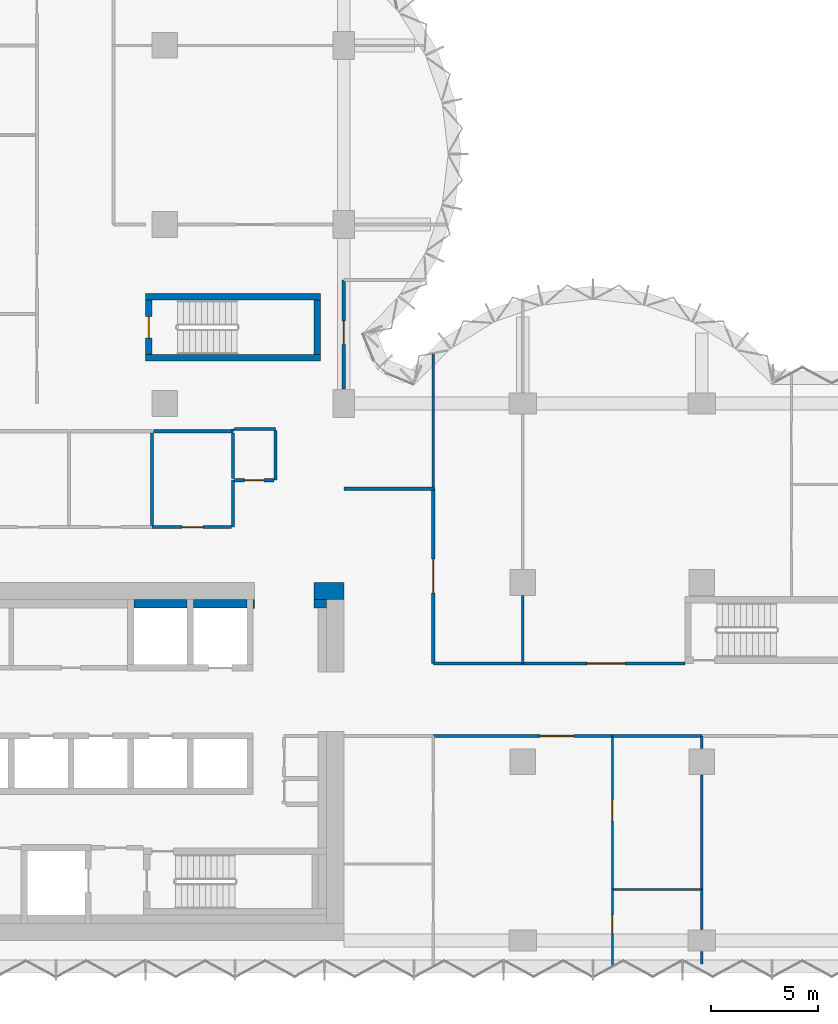
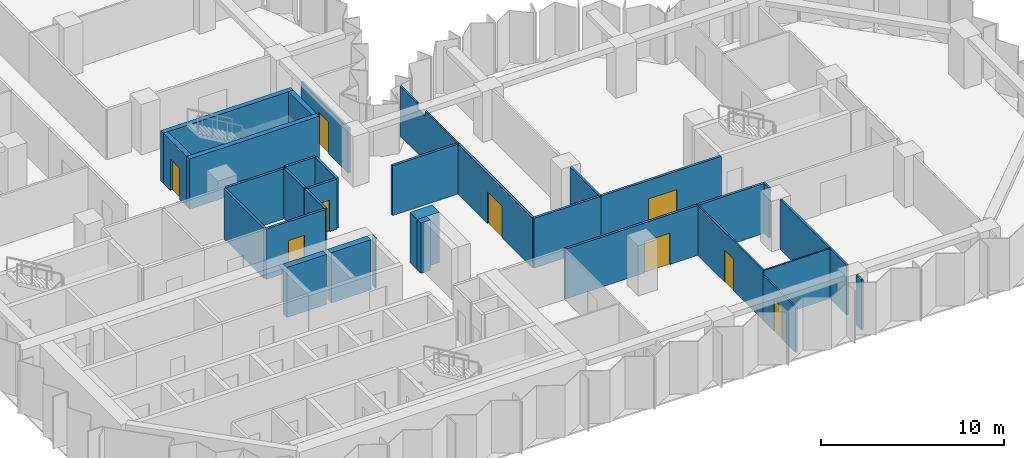
# One storey, part 7 of 11: 34 walls, 9 doors, 9 openings.
"""IFC4 building model written with IfcOpenShell, lengths in metres."""

from ifc_helpers import new_model, si_unit, direction, frame, frame_2d, origin, place, context, subcontext, project, spatial, polyline, rectangle, outline, extrude, material, layer, layer_set, type_object, element, fill, save


model = new_model("IFC4")

# Units and contexts
model_context = context("Model", 3, precision=1e-05, world=origin(), true_north=direction((0.0, 1.0)))
body_context = subcontext(model_context, "Body", "Model", "MODEL_VIEW")
ifc_project = project(units=[si_unit("LENGTHUNIT", "METRE"), si_unit("AREAUNIT", "SQUARE_METRE"), si_unit("VOLUMEUNIT", "CUBIC_METRE"), si_unit("PLANEANGLEUNIT", "RADIAN"), si_unit("MASSUNIT", "GRAM", prefix="KILO")], contexts=[model_context])

# Site, building, storey
site_placement = place(None, origin())
site = spatial("IfcSite", under=ifc_project, at=site_placement, CompositionType="ELEMENT")
building_placement = place(site_placement, origin())
building = spatial("IfcBuilding", under=site, at=building_placement, Name="Brevane Broadcast Tower", CompositionType="ELEMENT")
storey_placement = place(building_placement, frame((0.0, 0.0, 142.10009765625)))
storey = spatial("IfcBuildingStorey", under=building, at=storey_placement, Name="L35", CompositionType="ELEMENT", Elevation=142.10009765625)

# Walls
ifc_material_1 = material(Name="Concrete C32/40", Category="concrete")
ifc_layer_1 = layer(ifc_material_1, 0.39990234375)
ifc_layer_set_1 = layer_set([ifc_layer_1], Name="Core chase wall 400 mm")
wall_type_1 = type_object("IfcWallType", Name="Core chase wall 400 mm", PredefinedType="PARTITIONING", material=ifc_layer_set_1)
wall_1_placement = place(storey_placement, frame((23.800048828125, 15.800048828125, 0.0), z_axis=(0.0, 0.0, 1.0), x_axis=(1.0, 0.0, 0.0)))
element("IfcWall", 1, at=wall_1_placement, inside=storey, type_object=wall_type_1, Name="L35 chase wall LN2", PredefinedType="PARTITIONING", context=body_context, shape_type="SweptSolid", body=[
    extrude(rectangle(XDim=0.599853515625, YDim=0.39990234375, at=frame_2d((0.2998046875, 0.0))), origin(), (0.0, 0.0, 1.0), 3.349853515625),
])
for number, where, z_axis, x_axis, name in (
    (2, (15.35009765625, 15.800048828125, 0.0), (0.0, 0.0, 1.0), (1.0, 0.0, 0.0), "L35 chase wall LN1-2-2-1"),
    (3, (18.14990234375, 15.800048828125, 0.0), (0.0, 0.0, 1.0), (1.0, 0.0, 0.0), "L35 chase wall LN1-2-2-2-1"),
):
    element("IfcWall", number, at=place(storey_placement, frame(where, z_axis=z_axis, x_axis=x_axis)), inside=storey, type_object=wall_type_1, Name=name, PredefinedType="PARTITIONING", context=body_context, shape_type="SweptSolid", body=[
        extrude(rectangle(XDim=2.5, YDim=0.39990234375, at=frame_2d((1.25, 0.0))), origin(), (0.0, 0.0, 1.0), 3.349853515625),
    ])
wall_2_placement = place(storey_placement, frame((20.949951171875, 15.800048828125, 0.0), z_axis=(0.0, 0.0, 1.0), x_axis=(1.0, 0.0, 0.0)))
element("IfcWall", 4, at=wall_2_placement, inside=storey, type_object=wall_type_1, Name="L35 chase wall LN1-2-2-2-2", PredefinedType="PARTITIONING", context=body_context, shape_type="SweptSolid", body=[
    extrude(rectangle(XDim=0.050048828125, YDim=0.39990234375, at=frame_2d((0.02490234375, 0.0))), origin(), (0.0, 0.0, 1.0), 3.349853515625),
])
ifc_material_2 = material(Name="Gypsum board on steel studs", Category="steel")
ifc_layer_2 = layer(ifc_material_2, 0.14990234375)
ifc_layer_set_2 = layer_set([ifc_layer_2], Name="Core fire partition 150 mm")
wall_type_2 = type_object("IfcWallType", Name="Core fire partition 150 mm", PredefinedType="PARTITIONING", material=ifc_layer_set_2)
wall_3_placement = place(storey_placement, frame((20.0, 21.60009765625, 0.0), z_axis=(0.0, 0.0, 1.0), x_axis=(0.0, -1.0, 0.0)))
element("IfcWall", 5, at=wall_3_placement, inside=storey, type_object=wall_type_2, Name="L35 partition wall P22", PredefinedType="PARTITIONING", context=body_context, shape_type="SweptSolid", body=[
    extrude(rectangle(XDim=2.2001953125, YDim=0.14990234375, at=frame_2d((1.10009765625, 0.0))), origin(), (0.0, 0.0, 1.0), 3.349853515625),
])

# Wall, opening, door
wall_4_placement = place(storey_placement, frame((19.925048828125, 19.39990234375, 0.0), z_axis=(0.0, 0.0, 1.0), x_axis=(-1.0, 0.0, 0.0)))
wall_4 = element("IfcWall", 6, at=wall_4_placement, inside=storey, type_object=wall_type_2, Name="L35 partition wall P23", PredefinedType="PARTITIONING", context=body_context, shape_type="SweptSolid", body=[
    extrude(rectangle(XDim=3.72509765625, YDim=0.14990234375, at=frame_2d((1.862548828125, 0.0))), origin(), (0.0, 0.0, 1.0), 3.349853515625),
])
opening_1_placement = place(wall_4_placement, frame((1.324951171875, 0.0, 0.0)))
opening_1 = element("IfcOpeningElement", 7, at=opening_1_placement, cuts=wall_4, Name="Opening L35-K27", PredefinedType="OPENING", context=body_context, shape_type="SweptSolid", body=[
    extrude(rectangle(XDim=1.0, YDim=2.10009765625, at=frame_2d((0.5, 1.050048828125))), frame((0.0, 0.0849609375, 0.0), z_axis=(0.0, -1.0, 0.0), x_axis=(1.0, 0.0, 0.0)), (0.0, 0.0, 1.0), 0.169921875),
])
ifc_material_3 = material(Name="Steel", Category="steel")
door_type_1 = type_object("IfcDoorType", Name="Service room door 1000 x 2100", OperationType="SINGLE_SWING_LEFT", PredefinedType="DOOR", material=ifc_material_3)
door_1_placement = place(opening_1_placement, origin())
door_1 = element("IfcDoor", 8, at=door_1_placement, inside=storey, type_object=door_type_1, Name="Door L35-K27", OperationType="SINGLE_SWING_LEFT", OverallHeight=2.10009765625, OverallWidth=1.0, PredefinedType="DOOR", context=body_context, shape_type="SweptSolid", body=[
    extrude(rectangle(XDim=1.0, YDim=2.10009765625, at=frame_2d((0.5, 1.050048828125))), frame((0.0, 0.02490234375, 0.0), z_axis=(0.0, -1.0, 0.0), x_axis=(1.0, 0.0, 0.0)), (0.0, 0.0, 1.0), 0.050048828125),
])
fill(opening_1, door_1)

# Walls
wall_5_placement = place(storey_placement, frame((16.199951171875, 23.824951171875, 0.0), z_axis=(0.0, 0.0, 1.0), x_axis=(0.0, -1.0, 0.0)))
element("IfcWall", 9, at=wall_5_placement, inside=storey, type_object=wall_type_2, Name="L35 partition wall P24", PredefinedType="PARTITIONING", context=body_context, shape_type="SweptSolid", body=[
    extrude(rectangle(XDim=4.349853515625, YDim=0.14990234375, at=frame_2d((2.1748046875, 0.0))), origin(), (0.0, 0.0, 1.0), 3.349853515625),
])
wall_6_placement = place(storey_placement, frame((16.27490234375, 23.89990234375, 0.0), z_axis=(0.0, 0.0, 1.0), x_axis=(1.0, 0.0, 0.0)))
element("IfcWall", 10, at=wall_6_placement, inside=storey, type_object=wall_type_2, Name="L35 partition wall P25", PredefinedType="PARTITIONING", context=body_context, shape_type="SweptSolid", body=[
    extrude(rectangle(XDim=3.72509765625, YDim=0.14990234375, at=frame_2d((1.862548828125, 0.0))), origin(), (0.0, 0.0, 1.0), 3.349853515625),
])
wall_7_placement = place(storey_placement, frame((20.0, 23.89990234375, 0.0), z_axis=(0.0, 0.0, 1.0), x_axis=(0.0, 1.0, 0.0)))
element("IfcWall", 11, at=wall_7_placement, inside=storey, type_object=wall_type_2, Name="L35 partition wall P26", PredefinedType="PARTITIONING", context=body_context, shape_type="SweptSolid", body=[
    extrude(rectangle(XDim=0.10009765625, YDim=0.14990234375, at=frame_2d((0.050048828125, 0.0))), origin(), (0.0, 0.0, 1.0), 3.349853515625),
])
wall_8_placement = place(storey_placement, frame((20.074951171875, 24.0, 0.0), z_axis=(0.0, 0.0, 1.0), x_axis=(1.0, 0.0, 0.0)))
element("IfcWall", 12, at=wall_8_placement, inside=storey, type_object=wall_type_2, Name="L35 partition wall P27", PredefinedType="PARTITIONING", context=body_context, shape_type="SweptSolid", body=[
    extrude(rectangle(XDim=1.925048828125, YDim=0.14990234375, at=frame_2d((0.96240234375, 0.0))), origin(), (0.0, 0.0, 1.0), 3.349853515625),
])
wall_9_placement = place(storey_placement, frame((22.0, 23.925048828125, 0.0), z_axis=(0.0, 0.0, 1.0), x_axis=(0.0, -1.0, 0.0)))
element("IfcWall", 13, at=wall_9_placement, inside=storey, type_object=wall_type_2, Name="L35 partition wall P28", PredefinedType="PARTITIONING", context=body_context, shape_type="SweptSolid", body=[
    extrude(rectangle(XDim=2.324951171875, YDim=0.14990234375, at=frame_2d((1.16259765625, 0.0))), origin(), (0.0, 0.0, 1.0), 3.349853515625),
])

# Wall, opening, door
wall_10_placement = place(storey_placement, frame((21.925048828125, 21.60009765625, 0.0), z_axis=(0.0, 0.0, 1.0), x_axis=(-1.0, 0.0, 0.0)))
wall_10 = element("IfcWall", 14, at=wall_10_placement, inside=storey, type_object=wall_type_2, Name="L35 partition wall P29", PredefinedType="PARTITIONING", context=body_context, shape_type="SweptSolid", body=[
    extrude(rectangle(XDim=1.85009765625, YDim=0.14990234375, at=frame_2d((0.925048828125, 0.0))), origin(), (0.0, 0.0, 1.0), 3.349853515625),
])
opening_2_placement = place(wall_10_placement, frame((0.47509765625, 0.0, 0.0)))
opening_2 = element("IfcOpeningElement", 15, at=opening_2_placement, cuts=wall_10, Name="Opening L35-K24", PredefinedType="OPENING", context=body_context, shape_type="SweptSolid", body=[
    extrude(rectangle(XDim=0.89990234375, YDim=2.10009765625, at=frame_2d((0.449951171875, 1.050048828125))), frame((0.0, 0.0849609375, 0.0), z_axis=(0.0, -1.0, 0.0), x_axis=(1.0, 0.0, 0.0)), (0.0, 0.0, 1.0), 0.169921875),
])
ifc_material_4 = material(Name="Timber", Category="wood")
door_type_2 = type_object("IfcDoorType", Name="Toilet door 900 x 2100", OperationType="SINGLE_SWING_LEFT", PredefinedType="DOOR", material=ifc_material_4)
door_2_placement = place(opening_2_placement, origin())
door_2 = element("IfcDoor", 16, at=door_2_placement, inside=storey, type_object=door_type_2, Name="Door L35-K24", OperationType="SINGLE_SWING_RIGHT", OverallHeight=2.10009765625, OverallWidth=0.89990234375, PredefinedType="DOOR", context=body_context, shape_type="SweptSolid", body=[
    extrude(rectangle(XDim=0.89990234375, YDim=2.10009765625, at=frame_2d((0.449951171875, 1.050048828125))), frame((0.0, 0.02490234375, 0.0), z_axis=(0.0, -1.0, 0.0), x_axis=(1.0, 0.0, 0.0)), (0.0, 0.0, 1.0), 0.050048828125),
])
fill(opening_2, door_2)

# Walls
wall_11_placement = place(storey_placement, frame((20.0, 21.675048828125, 0.0), z_axis=(0.0, 0.0, 1.0), x_axis=(0.0, 1.0, 0.0)))
element("IfcWall", 17, at=wall_11_placement, inside=storey, type_object=wall_type_2, Name="L35 partition wall P30", PredefinedType="PARTITIONING", context=body_context, shape_type="SweptSolid", body=[
    extrude(rectangle(XDim=2.14990234375, YDim=0.14990234375, at=frame_2d((1.074951171875, 0.0))), origin(), (0.0, 0.0, 1.0), 3.349853515625),
])
ifc_material_5 = material(Name="Concrete C60/75", Category="concrete")
ifc_layer_3 = layer(ifc_material_5, 0.300048828125)
ifc_layer_set_3 = layer_set([ifc_layer_3], Name="Core wall 300 mm C60/75")
wall_type_3 = type_object("IfcWallType", Name="Core wall 300 mm C60/75", PredefinedType="SHEAR", material=ifc_layer_set_3)
for number, where, z_axis, x_axis, name in (
    (18, (15.89990234375, 27.35009765625, 0.0), (0.0, 0.0, 1.0), (1.0, 0.0, 0.0), "L35 stair wall ST-3-S"),
    (19, (15.89990234375, 30.199951171875, 0.0), (0.0, 0.0, 1.0), (1.0, 0.0, 0.0), "L35 stair wall ST-3-N"),
):
    element("IfcWall", number, at=place(storey_placement, frame(where, z_axis=z_axis, x_axis=x_axis)), inside=storey, type_object=wall_type_3, Name=name, PredefinedType="SHEAR", context=body_context, shape_type="SweptSolid", body=[
        extrude(rectangle(XDim=8.2001953125, YDim=0.300048828125, at=frame_2d((4.10009765625, 0.0))), origin(), (0.0, 0.0, 1.0), 3.349853515625),
    ])

# Wall, opening, door
wall_12_placement = place(storey_placement, frame((16.050048828125, 27.5, 0.0), z_axis=(0.0, 0.0, 1.0), x_axis=(0.0, 1.0, 0.0)))
wall_12 = element("IfcWall", 20, at=wall_12_placement, inside=storey, type_object=wall_type_3, Name="L35 stair wall ST-3-W", PredefinedType="SHEAR", context=body_context, shape_type="SweptSolid", body=[
    extrude(rectangle(XDim=2.550048828125, YDim=0.300048828125, at=frame_2d((1.27490234375, 0.0))), origin(), (0.0, 0.0, 1.0), 3.349853515625),
])
opening_3_placement = place(wall_12_placement, frame((0.77490234375, 0.0, 0.0)))
opening_3 = element("IfcOpeningElement", 21, at=opening_3_placement, cuts=wall_12, Name="Opening L35-K14", PredefinedType="OPENING", context=body_context, shape_type="SweptSolid", body=[
    extrude(rectangle(XDim=1.0, YDim=2.10009765625, at=frame_2d((0.5, 1.050048828125))), frame((0.0, 0.159912109375, 0.0), z_axis=(0.0, -1.0, 0.0), x_axis=(1.0, 0.0, 0.0)), (0.0, 0.0, 1.0), 0.320068359375),
])
door_type_3 = type_object("IfcDoorType", Name="Stair door 1000 x 2100", OperationType="SINGLE_SWING_LEFT", PredefinedType="DOOR", material=ifc_material_3)
door_3_placement = place(opening_3_placement, origin())
door_3 = element("IfcDoor", 22, at=door_3_placement, inside=storey, type_object=door_type_3, Name="Door L35-K14", OperationType="SINGLE_SWING_RIGHT", OverallHeight=2.10009765625, OverallWidth=1.0, PredefinedType="DOOR", context=body_context, shape_type="SweptSolid", body=[
    extrude(rectangle(XDim=1.0, YDim=2.10009765625, at=frame_2d((0.5, 1.050048828125))), frame((0.0, 0.02490234375, 0.0), z_axis=(0.0, -1.0, 0.0), x_axis=(1.0, 0.0, 0.0)), (0.0, 0.0, 1.0), 0.050048828125),
])
fill(opening_3, door_3)

# Walls
wall_13_placement = place(storey_placement, frame((23.949951171875, 27.5, 0.0), z_axis=(0.0, 0.0, 1.0), x_axis=(0.0, 1.0, 0.0)))
element("IfcWall", 23, at=wall_13_placement, inside=storey, type_object=wall_type_3, Name="L35 stair wall ST-3-E", PredefinedType="SHEAR", context=body_context, shape_type="SweptSolid", body=[
    extrude(rectangle(XDim=2.550048828125, YDim=0.300048828125, at=frame_2d((1.27490234375, 0.0))), origin(), (0.0, 0.0, 1.0), 3.349853515625),
])
ifc_layer_4 = layer(ifc_material_5, 0.800048828125)
ifc_layer_set_4 = layer_set([ifc_layer_4], Name="Core wall 800 mm C60/75")
wall_type_4 = type_object("IfcWallType", Name="Core wall 800 mm C60/75", PredefinedType="SHEAR", material=ifc_layer_set_4)
wall_14_placement = place(storey_placement, frame((23.800048828125, 16.39990234375, 0.0), z_axis=(0.0, 0.0, 1.0), x_axis=(1.0, 0.0, 0.0)))
element("IfcWall", 24, at=wall_14_placement, inside=storey, type_object=wall_type_4, Name="L35 outer wall WN2", PredefinedType="SHEAR", context=body_context, shape_type="SweptSolid", body=[
    extrude(rectangle(XDim=1.39990234375, YDim=0.800048828125, at=frame_2d((0.699951171875, 0.0))), origin(), (0.0, 0.0, 1.0), 3.349853515625),
])
ifc_material_6 = material(Name="Gypsum board partition")
ifc_layer_5 = layer(ifc_material_6, 0.10009765625)
ifc_layer_set_5 = layer_set([ifc_layer_5], Name="PARTITION 100 STUD")
wall_type_5 = type_object("IfcWallType", Name="PARTITION 100 STUD", PredefinedType="PARTITIONING", material=ifc_layer_set_5)
wall_15_placement = place(storey_placement, frame((29.39990234375, 27.510986328125, 0.0), z_axis=(0.0, 0.0, 1.0), x_axis=(0.0, -1.0, 0.0)))
element("IfcWall", 25, at=wall_15_placement, inside=storey, type_object=wall_type_5, Name="Partition G10-004", PredefinedType="PARTITIONING", context=body_context, shape_type="SweptSolid", body=[
    extrude(outline(polyline([(0.0, 0.0), (6.31103515625, 0.0), (6.31103515625, 3.329833984375), (2.760986328125, 3.329833984375), (2.759033203125, 2.97998046875), (1.863037109375, 2.97998046875), (1.861083984375, 3.329833984375), (0.236083984375, 3.329833984375), (0.0, 3.329833984375), (0.0, 0.0)])), frame((0.0, 0.050048828125, 0.0), z_axis=(0.0, -1.0, 0.0), x_axis=(1.0, 0.0, 0.0)), (0.0, 0.0, 1.0), 0.10009765625),
])

# Wall, opening, door
wall_16_placement = place(storey_placement, frame((37.800048828125, 2.39990234375, 0.0), z_axis=(0.0, 0.0, 1.0), x_axis=(0.0, -1.0, 0.0)))
wall_16 = element("IfcWall", 26, at=wall_16_placement, inside=storey, type_object=wall_type_5, Name="Partition G10-021", PredefinedType="PARTITIONING", context=body_context, shape_type="SweptSolid", body=[
    extrude(rectangle(XDim=3.573974609375, YDim=0.10009765625, at=frame_2d((1.787109375, 0.0))), origin(), (0.0, 0.0, 1.0), 2.97998046875),
])
opening_4_placement = place(wall_16_placement, frame((1.199951171875, 0.0, 0.0)))
opening_4 = element("IfcOpeningElement", 27, at=opening_4_placement, cuts=wall_16, Name="Opening D17-004", PredefinedType="OPENING", context=body_context, shape_type="SweptSolid", body=[
    extrude(rectangle(XDim=0.89990234375, YDim=2.10009765625, at=frame_2d((0.449951171875, 1.050048828125))), frame((0.0, 0.06005859375, 0.0), z_axis=(0.0, -1.0, 0.0), x_axis=(1.0, 0.0, 0.0)), (0.0, 0.0, 1.0), 0.1201171875),
])
ifc_material_7 = material(Name="Timber door leaf", Category="wood")
door_type_4 = type_object("IfcDoorType", Name="DOOR SINGLE 900 INTERNAL", OperationType="SINGLE_SWING_LEFT", PredefinedType="DOOR", material=ifc_material_7)
door_4_placement = place(opening_4_placement, origin())
door_4 = element("IfcDoor", 28, at=door_4_placement, inside=storey, type_object=door_type_4, Name="Door D17-004", OperationType="SINGLE_SWING_LEFT", OverallHeight=2.10009765625, OverallWidth=0.89990234375, PredefinedType="DOOR", context=body_context, shape_type="SweptSolid", body=[
    extrude(rectangle(XDim=0.89990234375, YDim=2.10009765625, at=frame_2d((0.449951171875, 1.050048828125))), frame((0.0, 0.02490234375, 0.0), z_axis=(0.0, -1.0, 0.0), x_axis=(1.0, 0.0, 0.0)), (0.0, 0.0, 1.0), 0.050048828125),
])
fill(opening_4, door_4)

wall_17_placement = place(storey_placement, frame((37.800048828125, 9.60009765625, 0.0), z_axis=(0.0, 0.0, 1.0), x_axis=(0.0, -1.0, 0.0)))
wall_17 = element("IfcWall", 29, at=wall_17_placement, inside=storey, type_object=wall_type_5, Name="Partition G10-022", PredefinedType="PARTITIONING", context=body_context, shape_type="SweptSolid", body=[
    extrude(rectangle(XDim=7.2001953125, YDim=0.10009765625, at=frame_2d((3.60009765625, 0.0))), origin(), (0.0, 0.0, 1.0), 3.329833984375),
])
opening_5_placement = place(wall_17_placement, frame((3.0, 0.0, 0.0)))
opening_5 = element("IfcOpeningElement", 30, at=opening_5_placement, cuts=wall_17, Name="Opening D17-005", PredefinedType="OPENING", context=body_context, shape_type="SweptSolid", body=[
    extrude(rectangle(XDim=1.0, YDim=2.10009765625, at=frame_2d((0.5, 1.050048828125))), frame((0.0, 0.06005859375, 0.0), z_axis=(0.0, -1.0, 0.0), x_axis=(1.0, 0.0, 0.0)), (0.0, 0.0, 1.0), 0.1201171875),
])
door_type_5 = type_object("IfcDoorType", Name="DOOR SINGLE 1000 INTERNAL", OperationType="SINGLE_SWING_LEFT", PredefinedType="DOOR", material=ifc_material_7)
door_5_placement = place(opening_5_placement, origin())
door_5 = element("IfcDoor", 31, at=door_5_placement, inside=storey, type_object=door_type_5, Name="Door D17-005", OperationType="SINGLE_SWING_LEFT", OverallHeight=2.10009765625, OverallWidth=1.0, PredefinedType="DOOR", context=body_context, shape_type="SweptSolid", body=[
    extrude(rectangle(XDim=1.0, YDim=2.10009765625, at=frame_2d((0.5, 1.050048828125))), frame((0.0, 0.02490234375, 0.0), z_axis=(0.0, -1.0, 0.0), x_axis=(1.0, 0.0, 0.0)), (0.0, 0.0, 1.0), 0.050048828125),
])
fill(opening_5, door_5)

# Walls
wall_18_placement = place(storey_placement, frame((37.800048828125, 2.39990234375, 0.0), z_axis=(0.0, 0.0, 1.0), x_axis=(1.0, 0.0, 0.0)))
element("IfcWall", 32, at=wall_18_placement, inside=storey, type_object=wall_type_5, Name="Partition G10-025", PredefinedType="PARTITIONING", context=body_context, shape_type="SweptSolid", body=[
    extrude(rectangle(XDim=4.199951171875, YDim=0.10009765625, at=frame_2d((2.10009765625, 0.0))), origin(), (0.0, 0.0, 1.0), 3.329833984375),
])
ifc_layer_6 = layer(ifc_material_6, 0.125)
ifc_layer_set_6 = layer_set([ifc_layer_6], Name="PARTITION 125 ACOUSTIC")
wall_type_6 = type_object("IfcWallType", Name="PARTITION 125 ACOUSTIC", PredefinedType="PARTITIONING", material=ifc_layer_set_6)
wall_19_placement = place(storey_placement, frame((42.0, 2.39990234375, 0.0), z_axis=(0.0, 0.0, 1.0), x_axis=(0.0, -1.0, 0.0)))
element("IfcWall", 33, at=wall_19_placement, inside=storey, type_object=wall_type_6, Name="Partition G10-026", PredefinedType="PARTITIONING", context=body_context, shape_type="SweptSolid", body=[
    extrude(rectangle(XDim=1.8798828125, YDim=0.125, at=frame_2d((0.93994140625, 0.0))), origin(), (0.0, 0.0, 1.0), 3.329833984375),
])
for number, where, z_axis, x_axis, name in (
    (34, (42.0, -0.52001953125, 0.0), (0.0, 0.0, 1.0), (0.0, -1.0, 0.0), "Partition G10-027"),
    (35, (42.0, 9.60009765625, 0.0), (0.0, 0.0, 1.0), (0.0, -1.0, 0.0), "Partition G10-028"),
):
    element("IfcWall", number, at=place(storey_placement, frame(where, z_axis=z_axis, x_axis=x_axis)), inside=storey, type_object=wall_type_6, Name=name, PredefinedType="PARTITIONING", context=body_context, shape_type="SweptSolid", body=[
        extrude(rectangle(XDim=0.580078125, YDim=0.125, at=frame_2d((0.2900390625, 0.0))), origin(), (0.0, 0.0, 1.0), 3.329833984375),
    ])
wall_20_placement = place(storey_placement, frame((42.0, 7.780029296875, 0.0), z_axis=(0.0, 0.0, 1.0), x_axis=(0.0, -1.0, 0.0)))
element("IfcWall", 36, at=wall_20_placement, inside=storey, type_object=wall_type_6, Name="Partition G10-029", PredefinedType="PARTITIONING", context=body_context, shape_type="SweptSolid", body=[
    extrude(rectangle(XDim=5.380126953125, YDim=0.125, at=frame_2d((2.68994140625, 0.0))), origin(), (0.0, 0.0, 1.0), 3.329833984375),
])
wall_21_placement = place(storey_placement, frame((33.60009765625, 16.179931640625, 0.0), z_axis=(0.0, 0.0, 1.0), x_axis=(0.0, -1.0, 0.0)))
element("IfcWall", 37, at=wall_21_placement, inside=storey, type_object=wall_type_6, Name="Partition G10-033", PredefinedType="PARTITIONING", context=body_context, shape_type="SweptSolid", body=[
    extrude(rectangle(XDim=3.179931640625, YDim=0.125, at=frame_2d((1.58984375, 0.0))), origin(), (0.0, 0.0, 1.0), 3.329833984375),
])
ifc_layer_7 = layer(ifc_material_6, 0.14990234375)
ifc_layer_set_7 = layer_set([ifc_layer_7], Name="PARTITION 150 EI 60")
wall_type_7 = type_object("IfcWallType", Name="PARTITION 150 EI 60", PredefinedType="PARTITIONING", material=ifc_layer_set_7)
wall_22_placement = place(storey_placement, frame((25.199951171875, 21.199951171875, 0.0), z_axis=(0.0, 0.0, 1.0), x_axis=(1.0, 0.0, 0.0)))
element("IfcWall", 38, at=wall_22_placement, inside=storey, type_object=wall_type_7, Name="Partition G10-001", PredefinedType="PARTITIONING", context=body_context, shape_type="SweptSolid", body=[
    extrude(rectangle(XDim=4.199951171875, YDim=0.14990234375, at=frame_2d((2.10009765625, 0.0))), origin(), (0.0, 0.0, 1.0), 3.329833984375),
])

# Wall, opening, door
wall_23_placement = place(storey_placement, frame((29.39990234375, 21.199951171875, 0.0), z_axis=(0.0, 0.0, 1.0), x_axis=(0.0, -1.0, 0.0)))
wall_23 = element("IfcWall", 39, at=wall_23_placement, inside=storey, type_object=wall_type_7, Name="Partition G10-003", PredefinedType="PARTITIONING", context=body_context, shape_type="SweptSolid", body=[
    extrude(rectangle(XDim=8.199951171875, YDim=0.14990234375, at=frame_2d((4.10009765625, 0.0))), origin(), (0.0, 0.0, 1.0), 3.329833984375),
])
opening_6_placement = place(wall_23_placement, frame((3.300048828125, 0.0, 0.0)))
opening_6 = element("IfcOpeningElement", 40, at=opening_6_placement, cuts=wall_23, Name="Opening D17-009", PredefinedType="OPENING", context=body_context, shape_type="SweptSolid", body=[
    extrude(rectangle(XDim=1.60009765625, YDim=2.10009765625, at=frame_2d((0.800048828125, 1.050048828125))), frame((0.0, 0.0849609375, 0.0), z_axis=(0.0, -1.0, 0.0), x_axis=(1.0, 0.0, 0.0)), (0.0, 0.0, 1.0), 0.169921875),
])
ifc_material_8 = material(Name="Fire-rated timber door leaf", Category="wood")
door_type_6 = type_object("IfcDoorType", Name="DOOR DOUBLE 1600 FD30S", OperationType="DOUBLE_DOOR_SINGLE_SWING", PredefinedType="DOOR", material=ifc_material_8)
door_6_placement = place(opening_6_placement, origin())
door_6 = element("IfcDoor", 41, at=door_6_placement, inside=storey, type_object=door_type_6, Name="Door D17-009", OperationType="DOUBLE_DOOR_SINGLE_SWING", OverallHeight=2.10009765625, OverallWidth=1.60009765625, PredefinedType="DOOR", context=body_context, shape_type="SweptSolid", body=[
    extrude(rectangle(XDim=1.60009765625, YDim=2.10009765625, at=frame_2d((0.800048828125, 1.050048828125))), frame((0.0, 0.02490234375, 0.0), z_axis=(0.0, -1.0, 0.0), x_axis=(1.0, 0.0, 0.0)), (0.0, 0.0, 1.0), 0.050048828125),
])
fill(opening_6, door_6)

wall_24_placement = place(storey_placement, frame((25.199951171875, 31.0, 0.0), z_axis=(0.0, 0.0, 1.0), x_axis=(0.0, -1.0, 0.0)))
wall_24 = element("IfcWall", 42, at=wall_24_placement, inside=storey, type_object=wall_type_7, Name="Partition G10-005", PredefinedType="PARTITIONING", context=body_context, shape_type="SweptSolid", body=[
    extrude(outline(polyline([(0.0, 0.0), (5.1298828125, 0.0), (5.1298828125, 2.97998046875), (0.0, 2.97998046875), (0.0, 0.0)])), frame((0.0, 0.074951171875, 0.0), z_axis=(0.0, -1.0, 0.0), x_axis=(1.0, 0.0, 0.0)), (0.0, 0.0, 1.0), 0.14990234375),
])
opening_7_placement = place(wall_24_placement, frame((1.929931640625, 0.0, 0.0)))
opening_7 = element("IfcOpeningElement", 43, at=opening_7_placement, cuts=wall_24, Name="Opening D17-001", PredefinedType="OPENING", context=body_context, shape_type="SweptSolid", body=[
    extrude(rectangle(XDim=1.10009765625, YDim=2.10009765625, at=frame_2d((0.550048828125, 1.050048828125))), frame((0.0, 0.0849609375, 0.0), z_axis=(0.0, -1.0, 0.0), x_axis=(1.0, 0.0, 0.0)), (0.0, 0.0, 1.0), 0.169921875),
])
door_type_7 = type_object("IfcDoorType", Name="DOOR SINGLE 1100 FD30S", OperationType="SINGLE_SWING_LEFT", PredefinedType="DOOR", material=ifc_material_8)
door_7_placement = place(opening_7_placement, origin())
door_7 = element("IfcDoor", 44, at=door_7_placement, inside=storey, type_object=door_type_7, Name="Door D17-001", OperationType="SINGLE_SWING_RIGHT", OverallHeight=2.10009765625, OverallWidth=1.10009765625, PredefinedType="DOOR", context=body_context, shape_type="SweptSolid", body=[
    extrude(rectangle(XDim=1.10009765625, YDim=2.10009765625, at=frame_2d((0.550048828125, 1.050048828125))), frame((0.0, 0.02490234375, 0.0), z_axis=(0.0, -1.0, 0.0), x_axis=(1.0, 0.0, 0.0)), (0.0, 0.0, 1.0), 0.050048828125),
])
fill(opening_7, door_7)

wall_25_placement = place(storey_placement, frame((37.800048828125, 9.60009765625, 0.0), z_axis=(0.0, 0.0, 1.0), x_axis=(-1.0, 0.0, 0.0)))
wall_25 = element("IfcWall", 45, at=wall_25_placement, inside=storey, type_object=wall_type_7, Name="Partition G10-008", PredefinedType="PARTITIONING", context=body_context, shape_type="SweptSolid", body=[
    extrude(rectangle(XDim=8.400146484375, YDim=0.14990234375, at=frame_2d((4.2001953125, 0.0))), origin(), (0.0, 0.0, 1.0), 3.329833984375),
])
opening_8_placement = place(wall_25_placement, frame((1.800048828125, 0.0, 0.0)))
opening_8 = element("IfcOpeningElement", 46, at=opening_8_placement, cuts=wall_25, Name="Opening D17-003", PredefinedType="OPENING", context=body_context, shape_type="SweptSolid", body=[
    extrude(rectangle(XDim=1.60009765625, YDim=2.10009765625, at=frame_2d((0.800048828125, 1.050048828125))), frame((0.0, 0.0849609375, 0.0), z_axis=(0.0, -1.0, 0.0), x_axis=(1.0, 0.0, 0.0)), (0.0, 0.0, 1.0), 0.169921875),
])
door_8_placement = place(opening_8_placement, origin())
door_8 = element("IfcDoor", 47, at=door_8_placement, inside=storey, type_object=door_type_6, Name="Door D17-003", OperationType="DOUBLE_DOOR_SINGLE_SWING", OverallHeight=2.10009765625, OverallWidth=1.60009765625, PredefinedType="DOOR", context=body_context, shape_type="SweptSolid", body=[
    extrude(rectangle(XDim=1.60009765625, YDim=2.10009765625, at=frame_2d((0.800048828125, 1.050048828125))), frame((0.0, 0.02490234375, 0.0), z_axis=(0.0, -1.0, 0.0), x_axis=(1.0, 0.0, 0.0)), (0.0, 0.0, 1.0), 0.050048828125),
])
fill(opening_8, door_8)

# Walls
wall_26_placement = place(storey_placement, frame((42.0, 9.60009765625, 0.0), z_axis=(0.0, 0.0, 1.0), x_axis=(-1.0, 0.0, 0.0)))
element("IfcWall", 48, at=wall_26_placement, inside=storey, type_object=wall_type_7, Name="Partition G10-009", PredefinedType="PARTITIONING", context=body_context, shape_type="SweptSolid", body=[
    extrude(rectangle(XDim=4.199951171875, YDim=0.14990234375, at=frame_2d((2.10009765625, 0.0))), origin(), (0.0, 0.0, 1.0), 3.329833984375),
])
wall_27_placement = place(storey_placement, frame((29.39990234375, 13.0, 0.0), z_axis=(0.0, 0.0, 1.0), x_axis=(1.0, 0.0, 0.0)))
element("IfcWall", 49, at=wall_27_placement, inside=storey, type_object=wall_type_7, Name="Partition G10-011", PredefinedType="PARTITIONING", context=body_context, shape_type="SweptSolid", body=[
    extrude(rectangle(XDim=4.2001953125, YDim=0.14990234375, at=frame_2d((2.10009765625, 0.0))), origin(), (0.0, 0.0, 1.0), 3.329833984375),
])

# Wall, opening, door
wall_28_placement = place(storey_placement, frame((33.60009765625, 13.0, 0.0), z_axis=(0.0, 0.0, 1.0), x_axis=(1.0, 0.0, 0.0)))
wall_28 = element("IfcWall", 50, at=wall_28_placement, inside=storey, type_object=wall_type_7, Name="Partition G10-012", PredefinedType="PARTITIONING", context=body_context, shape_type="SweptSolid", body=[
    extrude(rectangle(XDim=7.599853515625, YDim=0.14990234375, at=frame_2d((3.7998046875, 0.0))), origin(), (0.0, 0.0, 1.0), 3.329833984375),
])
opening_9_placement = place(wall_28_placement, frame((3.0, 0.0, 0.0)))
opening_9 = element("IfcOpeningElement", 51, at=opening_9_placement, cuts=wall_28, Name="Opening D17-010", PredefinedType="OPENING", context=body_context, shape_type="SweptSolid", body=[
    extrude(rectangle(XDim=1.800048828125, YDim=2.10009765625, at=frame_2d((0.89990234375, 1.050048828125))), frame((0.0, 0.0849609375, 0.0), z_axis=(0.0, -1.0, 0.0), x_axis=(1.0, 0.0, 0.0)), (0.0, 0.0, 1.0), 0.169921875),
])
door_type_8 = type_object("IfcDoorType", Name="DOOR DOUBLE 1800 FD30S", OperationType="DOUBLE_DOOR_SINGLE_SWING", PredefinedType="DOOR", material=ifc_material_8)
door_9_placement = place(opening_9_placement, origin())
door_9 = element("IfcDoor", 52, at=door_9_placement, inside=storey, type_object=door_type_8, Name="Door D17-010", OperationType="DOUBLE_DOOR_SINGLE_SWING", OverallHeight=2.10009765625, OverallWidth=1.800048828125, PredefinedType="DOOR", context=body_context, shape_type="SweptSolid", body=[
    extrude(rectangle(XDim=1.800048828125, YDim=2.10009765625, at=frame_2d((0.89990234375, 1.050048828125))), frame((0.0, 0.02490234375, 0.0), z_axis=(0.0, -1.0, 0.0), x_axis=(1.0, 0.0, 0.0)), (0.0, 0.0, 1.0), 0.050048828125),
])
fill(opening_9, door_9)

save(model, "model.ifc")
